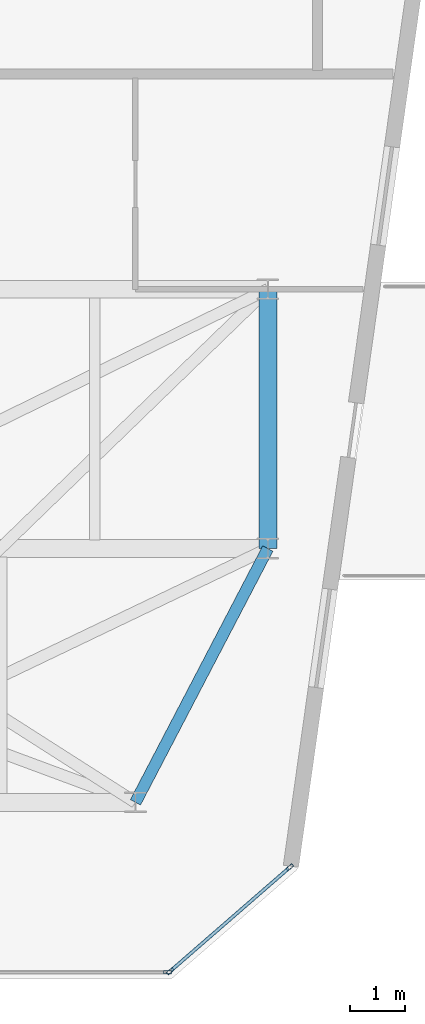
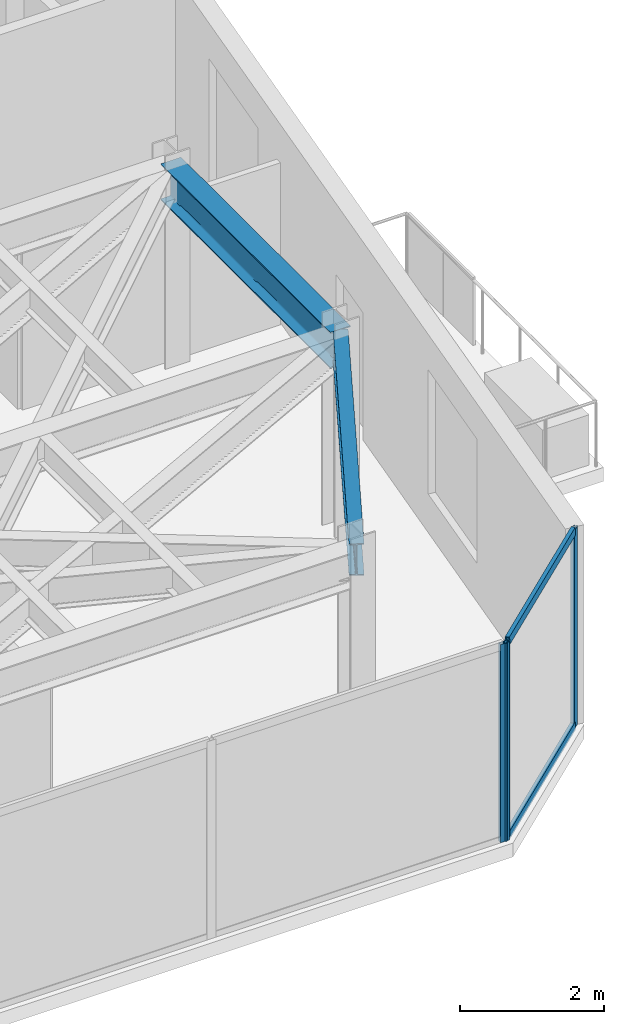
# One storey, part 12 of 17: 5 members, 2 beams, 2 elements without a shape of their own.
"""IFC4 building model written with IfcOpenShell, lengths in metres."""

from ifc_helpers import new_model, si_unit, direction, frame, origin, origin_2d, place, context, subcontext, project, spatial, hollow_rectangle, i_section, extrude, material, layer, layer_set, material_profile, profile_set, type_object, element, aggregate, save


model = new_model("IFC4")

# Units and contexts
model_context = context("Model", 3, precision=1e-05, world=origin(), true_north=direction((0.0, 1.0)))
body_context = subcontext(model_context, "Body", "Model", "MODEL_VIEW")
ifc_project = project(units=[si_unit("LENGTHUNIT", "METRE"), si_unit("AREAUNIT", "SQUARE_METRE"), si_unit("VOLUMEUNIT", "CUBIC_METRE"), si_unit("PLANEANGLEUNIT", "RADIAN"), si_unit("MASSUNIT", "GRAM", prefix="KILO")], contexts=[model_context])

# Site, building, storey
site_placement = place(None, origin())
site = spatial("IfcSite", under=ifc_project, at=site_placement, CompositionType="ELEMENT")
building_placement = place(site_placement, origin())
building = spatial("IfcBuilding", under=site, at=building_placement, Name="Kravanh Interchange Tower", CompositionType="ELEMENT")
storey_placement = place(building_placement, frame((0.0, 0.0, 293.10009765625)))
storey = spatial("IfcBuildingStorey", under=building, at=storey_placement, Name="L72", CompositionType="ELEMENT", Elevation=293.10009765625)

# Curtain wall, members
ifc_material_1 = material(Name="Anodised Bronze Aluminium", Category="aluminium")
ifc_layer = layer(ifc_material_1, 0.179931640625)
ifc_layer_set = layer_set([ifc_layer], Name="Unitised Curtain Wall System CW-HTL Luxury Hotel")
curtain_wall_type = type_object("IfcCurtainWallType", Name="Unitised Curtain Wall System CW-HTL Luxury Hotel", PredefinedType="NOTDEFINED", material=ifc_layer_set)
curtain_wall_1_placement = place(storey_placement, origin())
curtain_wall_1 = element("IfcCurtainWall", 1, at=curtain_wall_1_placement, inside=storey, type_object=curtain_wall_type, Name="L72 Unitised Curtain Wall CW-L72-02", PredefinedType="NOTDEFINED")
ifc_material_2 = material(Name="Anodised Bronze Aluminium", Category="aluminium")
ifc_material_profile_1 = material_profile(ifc_material_2, hollow_rectangle(XDim=0.06005859375, YDim=0.139892578125, WallThickness=0.00390625, at=origin_2d()), Name="ALU60X140X4")
ifc_profile_set_1 = profile_set([ifc_material_profile_1], Name="Anodised Bronze Aluminium")
member_type_1 = type_object("IfcMemberType", Name="Curtain Wall Mullion ALU60X140X4 Bronze", PredefinedType="MULLION", material=ifc_profile_set_1)
member_1_placement = place(storey_placement, frame((65.9970703125, 21.02197265625, 0.0), z_axis=(0.0, 0.0, 1.0), x_axis=(0.656033323139, -0.75473192521, 0.0)))
member_1 = element("IfcMember", 2, at=member_1_placement, type_object=member_type_1, Name="CW-HTL mullion 1", PredefinedType="MULLION", context=body_context, shape_type="SweptSolid", body=[
    extrude(hollow_rectangle(XDim=0.06005859375, YDim=0.139892578125, WallThickness=0.00390625, at=origin_2d()), origin(), (0.0, 0.0, 1.0), 3.349853515625),
])
member_2_placement = place(storey_placement, frame((63.831787109375, 19.1396484375, 0.0), z_axis=(0.0, 0.0, 1.0), x_axis=(0.656033323139, -0.75473192521, 0.0)))
member_2 = element("IfcMember", 3, at=member_2_placement, type_object=member_type_1, Name="CW-HTL mullion 2", PredefinedType="MULLION", context=body_context, shape_type="SweptSolid", body=[
    extrude(hollow_rectangle(XDim=0.06005859375, YDim=0.139892578125, WallThickness=0.00390625, at=origin_2d()), origin(), (0.0, 0.0, 1.0), 3.349853515625),
])

# Curtain wall, member
curtain_wall_2_placement = place(storey_placement, origin())
curtain_wall_2 = element("IfcCurtainWall", 4, at=curtain_wall_2_placement, inside=storey, type_object=curtain_wall_type, Name="L72 Unitised Curtain Wall CW-L72-03", PredefinedType="NOTDEFINED")
member_3_placement = place(storey_placement, frame((63.779052734375, 19.1201171875, 0.0), z_axis=(0.0, 0.0, 1.0), x_axis=(0.0, -1.0, 0.0)))
member_3 = element("IfcMember", 5, at=member_3_placement, type_object=member_type_1, Name="CW-HTL mullion 1", PredefinedType="MULLION", context=body_context, shape_type="SweptSolid", body=[
    extrude(hollow_rectangle(XDim=0.06005859375, YDim=0.139892578125, WallThickness=0.00390625, at=origin_2d()), origin(), (0.0, 0.0, 1.0), 3.349853515625),
])
aggregate(curtain_wall_2, [member_3])

# Member
ifc_material_3 = material(Name="Anodised Bronze Aluminium", Category="aluminium")
ifc_material_profile_2 = material_profile(ifc_material_3, hollow_rectangle(XDim=0.06005859375, YDim=0.139892578125, WallThickness=0.00390625, at=origin_2d()), Name="ALU60X140X4")
ifc_profile_set_2 = profile_set([ifc_material_profile_2], Name="Anodised Bronze Aluminium")
member_type_2 = type_object("IfcMemberType", Name="Curtain Wall Transom ALU60X140X4 Bronze", PredefinedType="USERDEFINED", material=ifc_profile_set_2)
member_4_placement = place(storey_placement, frame((65.974609375, 21.002197265625, 0.02978515625), z_axis=(-0.754747707805, -0.656015165651, 0.0), x_axis=(0.656015165651, -0.754747707805, 0.0)))
member_4 = element("IfcMember", 6, at=member_4_placement, type_object=member_type_2, Name="CW-HTL transom 1.1", ObjectType="TRANSOM", PredefinedType="USERDEFINED", context=body_context, shape_type="SweptSolid", body=[
    extrude(hollow_rectangle(XDim=0.06005859375, YDim=0.139892578125, WallThickness=0.00390625, at=origin_2d()), origin(), (0.0, 0.0, 1.0), 2.80908203125),
])

member_5_placement = place(storey_placement, frame((65.974609375, 21.002197265625, 3.31982421875), z_axis=(-0.754747707805, -0.656015165651, 0.0), x_axis=(0.656015165651, -0.754747707805, 0.0)))
member_5 = element("IfcMember", 7, at=member_5_placement, type_object=member_type_2, Name="CW-HTL transom 1.2", ObjectType="TRANSOM", PredefinedType="USERDEFINED", context=body_context, shape_type="SweptSolid", body=[
    extrude(hollow_rectangle(XDim=0.06005859375, YDim=0.139892578125, WallThickness=0.00390625, at=origin_2d()), origin(), (0.0, 0.0, 1.0), 2.80908203125),
])

aggregate(curtain_wall_1, [member_1, member_2, member_4, member_5])

# Beams
ifc_material_4 = material(Name="Structural Steel S355", Category="steel")
ifc_material_profile_3 = material_profile(ifc_material_4, i_section(OverallWidth=0.323974609375, OverallDepth=0.611083984375, WebThickness=0.0126953125, FlangeThickness=0.01904296875, FilletRadius=0.02197265625, at=origin_2d()), Name="W24X104")
ifc_profile_set_3 = profile_set([ifc_material_profile_3], Name="Structural Steel S355")
beam_type_1 = type_object("IfcBeamType", Name="Floor Beam W24X104 Structural Steel S355", PredefinedType="BEAM", material=ifc_profile_set_3)
beam_1_placement = place(storey_placement, frame((65.60009765625, 31.5, 3.04443359375), z_axis=(0.0, -1.0, 0.0), x_axis=(1.0, 0.0, 0.0)))
element("IfcBeam", 8, at=beam_1_placement, inside=storey, type_object=beam_type_1, Name="L72 Primary Floor Girder 13", PredefinedType="BEAM", context=body_context, shape_type="SweptSolid", body=[
    extrude(i_section(OverallWidth=0.323974609375, OverallDepth=0.611083984375, WebThickness=0.0126953125, FlangeThickness=0.01904296875, FilletRadius=0.02197265625, at=origin_2d()), origin(), (0.0, 0.0, 1.0), 4.699951171875),
])
ifc_material_5 = material(Name="Structural Steel S355", Category="steel")
ifc_material_profile_4 = material_profile(ifc_material_5, i_section(OverallWidth=0.2099609375, OverallDepth=0.537109375, WebThickness=0.010986328125, FlangeThickness=0.017333984375, FilletRadius=0.02001953125, at=origin_2d()), Name="W21X68")
ifc_profile_set_4 = profile_set([ifc_material_profile_4], Name="Structural Steel S355")
beam_type_2 = type_object("IfcBeamType", Name="Floor Spandrel W21X68 Structural Steel S355", PredefinedType="SPANDREL", material=ifc_profile_set_4)
beam_2_placement = place(storey_placement, frame((65.60009765625, 26.800048828125, 3.081298828125), z_axis=(-0.462580479178, -0.886577295155, 0.0), x_axis=(0.886577295155, -0.462580479178, 0.0)))
element("IfcBeam", 9, at=beam_2_placement, inside=storey, type_object=beam_type_2, Name="L72 Perimeter Spandrel 31", PredefinedType="SPANDREL", context=body_context, shape_type="SweptSolid", body=[
    extrude(i_section(OverallWidth=0.2099609375, OverallDepth=0.537109375, WebThickness=0.010986328125, FlangeThickness=0.017333984375, FilletRadius=0.02001953125, at=origin_2d()), origin(), (0.0, 0.0, 1.0), 5.188720703125),
])

save(model, "model.ifc")
